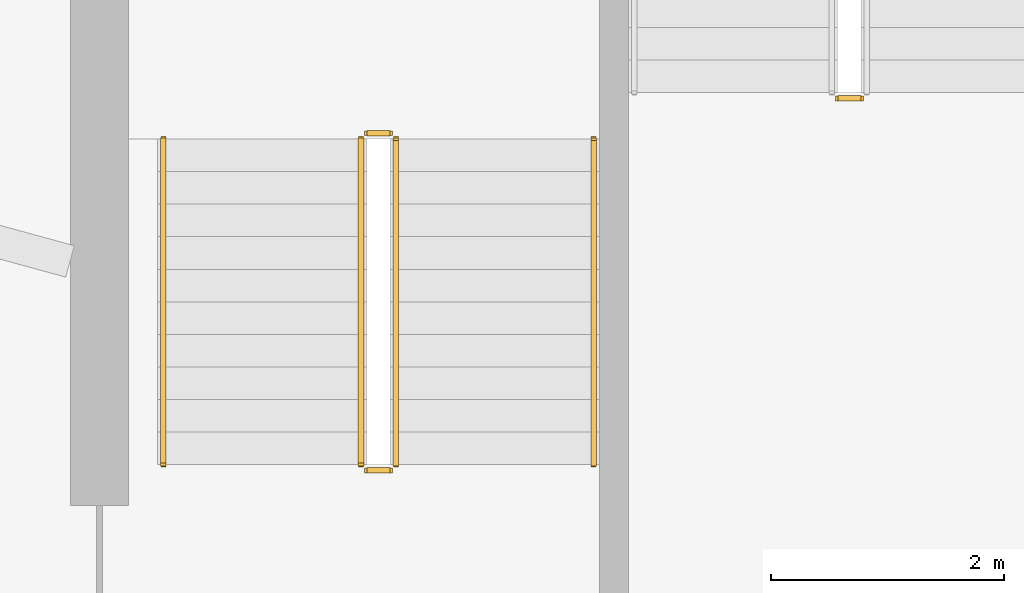
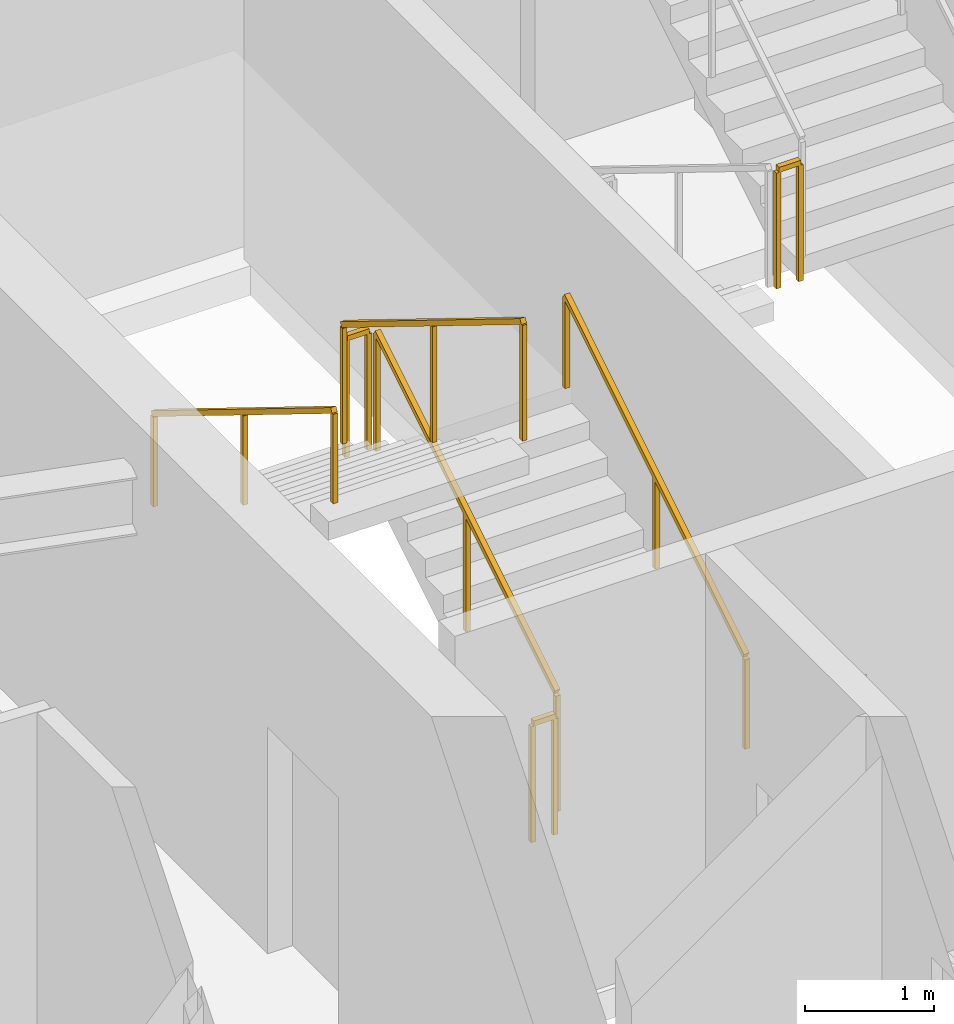
# One storey, part 21 of 23: 7 railings.
"""IFC4 building model written with IfcOpenShell, lengths in metres."""

import ifcopenshell
import ifcopenshell.guid

model = None  # the IFC model being written
_history = None  # IfcOwnerHistory: only IFC2X3 demands one
_inside = {}  # id of a spatial element -> (the spatial element, [elements in it])
_under = {}  # id of a project, library or spatial element -> (it, [spatial elements below it])
_declared = {}  # id of a project -> (the project, [libraries it declares])
_typed = {}  # id of a type object -> (the type object, [elements of that type])
_made_of = {}  # id of a material, layer set ... -> (it, [elements and type objects made of it])


def new_model(schema):
    """Start an empty IFC model of exactly this schema.

    Asked for "IFC4X3", IfcOpenShell would pick the latest addendum, in which some entities
    have other attributes; the version numbers below select the first issue.
    IFC2X3 requires an IfcOwnerHistory on every rooted entity: one is made here for all.
    """
    global model, _history
    if schema == "IFC4X3":
        model = ifcopenshell.file(schema_version=(4, 3, 0, 0))
    else:
        model = ifcopenshell.file(schema=schema)
    _inside.clear()
    _under.clear()
    _declared.clear()
    _typed.clear()
    _made_of.clear()
    _history = None
    if model.schema == "IFC2X3":
        org = make("IfcOrganization", Name="unknown")
        user = make(
            "IfcPersonAndOrganization",
            ThePerson=make("IfcPerson", FamilyName="unknown"),
            TheOrganization=org,
        )
        app = make(
            "IfcApplication",
            ApplicationDeveloper=org,
            Version="unknown",
            ApplicationFullName="unknown",
            ApplicationIdentifier="unknown",
        )
        _history = make(
            "IfcOwnerHistory",
            OwningUser=user,
            OwningApplication=app,
            ChangeAction="ADDED",
            CreationDate=0,
        )
    return model


def make(cls, **values):
    """One entity of the class cls with the attributes given. An attribute that is None is left unset."""
    return model.create_entity(
        cls, **{name: value for name, value in values.items() if value is not None}
    )


def rooted(cls, **values):
    """An entity with a GlobalId (a new one), such as an element, a storey or a relation."""
    return make(cls, GlobalId=ifcopenshell.guid.new(), OwnerHistory=_history, **values)


def si_unit(unit_type, name, prefix=None):
    """IfcSIUnit, for example si_unit("LENGTHUNIT", "METRE", prefix="MILLI")."""
    return make("IfcSIUnit", UnitType=unit_type, Prefix=prefix, Name=name)


def assignment(units):
    """IfcUnitAssignment: the units of a project."""
    return None if units is None else make("IfcUnitAssignment", Units=units)


def point(xyz):
    """IfcCartesianPoint."""
    return None if xyz is None else make("IfcCartesianPoint", Coordinates=xyz)


def direction(xyz):
    """IfcDirection."""
    return None if xyz is None else make("IfcDirection", DirectionRatios=xyz)


def frame(location, z_axis=None, x_axis=None):
    """IfcAxis2Placement3D, a coordinate frame: its origin and axes. An axis left out is left unset."""
    return make(
        "IfcAxis2Placement3D",
        Location=point(location),
        Axis=direction(z_axis),
        RefDirection=direction(x_axis),
    )


def frame_2d(location, x_axis=None):
    """IfcAxis2Placement2D, a coordinate frame in the plane: its origin and x axis."""
    return make(
        "IfcAxis2Placement2D", Location=point(location), RefDirection=direction(x_axis)
    )


def origin():
    """The frame at (0, 0, 0) with its axes left unset."""
    return frame((0.0, 0.0, 0.0))


def origin_2d():
    """The frame at (0, 0) in the plane with its x axis left unset."""
    return frame_2d((0.0, 0.0))


def place(relative_to, where):
    """IfcLocalPlacement: puts the frame where relative to a parent placement (None: the world)."""
    return make(
        "IfcLocalPlacement", PlacementRelTo=relative_to, RelativePlacement=where
    )


def context(
    kind, dimensions, precision=None, world=None, true_north=None, identifier=None
):
    """IfcGeometricRepresentationContext, for example the 3D "Model" context."""
    return make(
        "IfcGeometricRepresentationContext",
        ContextIdentifier=identifier,
        ContextType=kind,
        CoordinateSpaceDimension=dimensions,
        Precision=precision,
        WorldCoordinateSystem=world,
        TrueNorth=true_north,
    )


def subcontext(parent, identifier, kind, view, scale=None):
    """IfcGeometricRepresentationSubContext, for example "Body" below "Model"."""
    return make(
        "IfcGeometricRepresentationSubContext",
        ContextIdentifier=identifier,
        ContextType=kind,
        ParentContext=parent,
        TargetScale=scale,
        TargetView=view,
    )


def project(units=None, contexts=None):
    """IfcProject with its units and contexts."""
    return rooted(
        "IfcProject",
        Name="project",
        RepresentationContexts=contexts,
        UnitsInContext=assignment(units),
    )


def spatial(cls, under=None, at=None, **own):
    """A site, building, storey or space (cls), placed at a placement, below another one or the project."""
    s = rooted(cls, ObjectPlacement=at, **own)
    if under is not None:
        _under.setdefault(under.id(), (under, []))[1].append(s)
    return s


def profile(cls, at=None, kind="AREA", **sizes):
    """A parametric profile (cls). Its sizes go by their IFC names, for example OverallWidth=200.0."""
    return make(cls, ProfileType=kind, Position=at, **sizes)


def rectangle(**sizes):
    """IfcRectangleProfileDef."""
    return profile("IfcRectangleProfileDef", **sizes)


def extrude(swept, where, along, depth):
    """IfcExtrudedAreaSolid: the profile swept, set in the frame where, extruded along a direction by depth."""
    return make(
        "IfcExtrudedAreaSolid",
        SweptArea=swept,
        Position=where,
        ExtrudedDirection=direction(along),
        Depth=depth,
    )


def shape(context_of_items, identifier, shape_type, items):
    """IfcShapeRepresentation: the items that make up one representation, for example the "Body"."""
    return make(
        "IfcShapeRepresentation",
        ContextOfItems=context_of_items,
        RepresentationIdentifier=identifier,
        RepresentationType=shape_type,
        Items=items,
    )


def material(Name=None, Category=None):
    """IfcMaterial."""
    return make("IfcMaterial", Name=Name, Category=Category)


def made_of(thing, what):
    """Note that an element or type object is made of a material, layer set ...; save() writes the relation."""
    if what is not None:
        _made_of.setdefault(what.id(), (what, []))[1].append(thing)
    return thing


def type_object(cls, material=None, **own):
    """A type object (cls), such as IfcWallType, which elements share."""
    return made_of(rooted(cls, **own), material)


def element(
    cls,
    number,
    at=None,
    inside=None,
    cuts=None,
    type_object=None,
    material=None,
    context=None,
    identifier="Body",
    shape_type=None,
    held_by="IfcProductDefinitionShape",
    body=None,
    shapes=None,
    **own,
):
    """One element of the class cls, such as IfcWall. Its Tag is "e" and its number.

    at: its placement. inside: the storey or other place that contains it. cuts: it is an
    opening in that element (IfcRelVoidsElement). A single representation is given by context,
    identifier, shape_type and body (its items); several are given by shapes. held_by: the class
    of the entity that holds the representations. save() writes the other relations.
    """
    e = rooted(cls, Tag="e%d" % number, ObjectPlacement=at, **own)
    if body is not None:
        shapes = [shape(context, identifier, shape_type, body)]
    if shapes is not None:
        e.Representation = make(held_by, Representations=shapes)
    if inside is not None:
        _inside.setdefault(inside.id(), (inside, []))[1].append(e)
    if cuts is not None:
        rooted(
            "IfcRelVoidsElement", RelatingBuildingElement=cuts, RelatedOpeningElement=e
        )
    if type_object is not None:
        _typed.setdefault(type_object.id(), (type_object, []))[1].append(e)
    return made_of(e, material)


def aggregate(whole, parts):
    """IfcRelAggregates: a whole, such as a stair, and the parts it consists of."""
    return rooted("IfcRelAggregates", RelatingObject=whole, RelatedObjects=parts)


def save(model, path):
    """Write the relations noted so far, then the file.

    IfcRelAggregates (storeys below a building ...), IfcRelContainedInSpatialStructure (elements
    in a storey), IfcRelDefinesByType, IfcRelAssociatesMaterial and IfcRelDeclares: one each for
    every whole, place, type object, material and project.
    """
    for whole, parts in _under.values():
        aggregate(whole, parts)
    for where, things in _inside.values():
        rooted(
            "IfcRelContainedInSpatialStructure",
            RelatedElements=things,
            RelatingStructure=where,
        )
    for kind, things in _typed.values():
        rooted("IfcRelDefinesByType", RelatedObjects=things, RelatingType=kind)
    for what, things in _made_of.values():
        rooted("IfcRelAssociatesMaterial", RelatedObjects=things, RelatingMaterial=what)
    for by, libraries in _declared.values():
        rooted("IfcRelDeclares", RelatingContext=by, RelatedDefinitions=libraries)
    model.write(path)


model = new_model("IFC4")

# Units and contexts
model_context = context("Model", 3, precision=1e-05, world=origin(), true_north=direction((0.0, 1.0)))
body_context = subcontext(model_context, "Body", "Model", "MODEL_VIEW")
ifc_project = project(units=[si_unit("LENGTHUNIT", "METRE"), si_unit("AREAUNIT", "SQUARE_METRE"), si_unit("VOLUMEUNIT", "CUBIC_METRE"), si_unit("PLANEANGLEUNIT", "RADIAN"), si_unit("MASSUNIT", "GRAM", prefix="KILO")], contexts=[model_context])

# Site, building, storey
site_placement = place(None, origin())
site = spatial("IfcSite", under=ifc_project, at=site_placement, CompositionType="ELEMENT")
building_placement = place(site_placement, origin())
building = spatial("IfcBuilding", under=site, at=building_placement, Name="Zuhravey Tower", CompositionType="ELEMENT")
storey_placement = place(building_placement, frame((0.0, 0.0, 353.800048828125)))
storey = spatial("IfcBuildingStorey", under=building, at=storey_placement, Name="L90", CompositionType="ELEMENT", Elevation=353.800048828125)

# Railings
ifc_material_1 = material(Name="Brushed stainless steel", Category="steel")
railing_type_1 = type_object("IfcRailingType", Name="Stair Wall Handrail 900", PredefinedType="HANDRAIL", material=ifc_material_1)
railing_1_placement = place(storey_placement, frame((29.75, 33.199951171875, 0.172607421875)))
element("IfcRailing", 1, at=railing_1_placement, inside=storey, type_object=railing_type_1, Name="L90 ST1 stair handrail 1", PredefinedType="HANDRAIL", context=body_context, shape_type="SweptSolid", body=[
    extrude(rectangle(XDim=0.048095703125, YDim=0.048095703125, at=origin_2d()), frame((0.0, 0.001708984375, 0.876953125), z_axis=(0.0, 0.851089632645, 0.525020415988), x_axis=(-1.0, 0.0, 0.0)), (0.0, 0.0, 1.0), 3.285888671875),
    extrude(rectangle(XDim=0.0419921875, YDim=0.0419921875, at=origin_2d()), origin(), (0.0, 0.0, 1.0), 0.849853515625),
    extrude(rectangle(XDim=0.0419921875, YDim=0.0419921875, at=origin_2d()), frame((0.0, 1.39990234375, 0.86376953125)), (0.0, 0.0, 1.0), 0.849853515625),
    extrude(rectangle(XDim=0.0419921875, YDim=0.0419921875, at=origin_2d()), frame((0.0, 2.800048828125, 1.727294921875)), (0.0, 0.0, 1.0), 0.849853515625),
])
railing_2_placement = place(storey_placement, frame((26.050048828125, 36.0, 2.07275390625)))
element("IfcRailing", 2, at=railing_2_placement, inside=storey, type_object=railing_type_1, Name="L90 ST1 stair handrail 2", PredefinedType="HANDRAIL", context=body_context, shape_type="SweptSolid", body=[
    extrude(rectangle(XDim=0.048095703125, YDim=0.048095703125, at=origin_2d()), frame((0.0, -0.001708984375, 0.876953125), z_axis=(0.0, -0.851089632645, 0.525020415988), x_axis=(1.0, 0.0, 0.0)), (0.0, 0.0, 1.0), 3.285888671875),
    extrude(rectangle(XDim=0.0419921875, YDim=0.0419921875, at=origin_2d()), origin(), (0.0, 0.0, 1.0), 0.849853515625),
    extrude(rectangle(XDim=0.0419921875, YDim=0.0419921875, at=origin_2d()), frame((0.0, -1.39990234375, 0.86376953125)), (0.0, 0.0, 1.0), 0.849853515625),
    extrude(rectangle(XDim=0.0419921875, YDim=0.0419921875, at=origin_2d()), frame((0.0, -2.800048828125, 1.727294921875)), (0.0, 0.0, 1.0), 0.849853515625),
])
ifc_material_2 = material(Name="Painted tubular steel", Category="steel")
railing_type_2 = type_object("IfcRailingType", Name="Stair Well Guardrail 1150", PredefinedType="GUARDRAIL", material=ifc_material_2)
railing_3_placement = place(storey_placement, frame((28.050048828125, 33.199951171875, 0.172607421875)))
element("IfcRailing", 3, at=railing_3_placement, inside=storey, type_object=railing_type_2, Name="L90 ST1 stair guard 1", PredefinedType="GUARDRAIL", context=body_context, shape_type="SweptSolid", body=[
    extrude(rectangle(XDim=0.048095703125, YDim=0.048095703125, at=origin_2d()), frame((0.0, 0.001708984375, 1.126953125), z_axis=(0.0, 0.851089632645, 0.525020415988), x_axis=(-1.0, 0.0, 0.0)), (0.0, 0.0, 1.0), 3.285888671875),
    extrude(rectangle(XDim=0.0419921875, YDim=0.0419921875, at=origin_2d()), origin(), (0.0, 0.0, 1.0), 1.099853515625),
    extrude(rectangle(XDim=0.0419921875, YDim=0.0419921875, at=origin_2d()), frame((0.0, 1.39990234375, 0.86376953125)), (0.0, 0.0, 1.0), 1.099853515625),
    extrude(rectangle(XDim=0.0419921875, YDim=0.0419921875, at=origin_2d()), frame((0.0, 2.800048828125, 1.727294921875)), (0.0, 0.0, 1.0), 1.099853515625),
])
railing_4_placement = place(storey_placement, frame((28.0, 36.050048828125, 1.89990234375)))
element("IfcRailing", 4, at=railing_4_placement, inside=storey, type_object=railing_type_2, Name="L90 ST1 stair guard 2", PredefinedType="GUARDRAIL", context=body_context, shape_type="SweptSolid", body=[
    extrude(rectangle(XDim=0.048095703125, YDim=0.048095703125, at=origin_2d()), frame((-0.001953125, 0.0, 1.1259765625), z_axis=(-1.0, 0.0, 0.0), x_axis=(0.0, -1.0, 0.0)), (0.0, 0.0, 1.0), 0.196044921875),
    extrude(rectangle(XDim=0.0419921875, YDim=0.0419921875, at=origin_2d()), origin(), (0.0, 0.0, 1.0), 1.099853515625),
    extrude(rectangle(XDim=0.0419921875, YDim=0.0419921875, at=origin_2d()), frame((-0.199951171875, 0.0, 0.0)), (0.0, 0.0, 1.0), 1.099853515625),
])
railing_5_placement = place(storey_placement, frame((27.75, 36.0, 2.07275390625)))
element("IfcRailing", 5, at=railing_5_placement, inside=storey, type_object=railing_type_2, Name="L90 ST1 stair guard 3", PredefinedType="GUARDRAIL", context=body_context, shape_type="SweptSolid", body=[
    extrude(rectangle(XDim=0.048095703125, YDim=0.048095703125, at=origin_2d()), frame((0.0, -0.001708984375, 1.126953125), z_axis=(0.0, -0.851089632645, 0.525020415988), x_axis=(1.0, 0.0, 0.0)), (0.0, 0.0, 1.0), 3.285888671875),
    extrude(rectangle(XDim=0.0419921875, YDim=0.0419921875, at=origin_2d()), origin(), (0.0, 0.0, 1.0), 1.099853515625),
    extrude(rectangle(XDim=0.0419921875, YDim=0.0419921875, at=origin_2d()), frame((0.0, -1.39990234375, 0.86376953125)), (0.0, 0.0, 1.0), 1.099853515625),
    extrude(rectangle(XDim=0.0419921875, YDim=0.0419921875, at=origin_2d()), frame((0.0, -2.800048828125, 1.727294921875)), (0.0, 0.0, 1.0), 1.099853515625),
])
railing_6_placement = place(storey_placement, frame((28.0, 33.14990234375, 0.0)))
element("IfcRailing", 6, at=railing_6_placement, inside=storey, type_object=railing_type_2, Name="L90 ST1 stair guard 4", PredefinedType="GUARDRAIL", context=body_context, shape_type="SweptSolid", body=[
    extrude(rectangle(XDim=0.048095703125, YDim=0.048095703125, at=origin_2d()), frame((-0.001953125, 0.0, 1.1259765625), z_axis=(-1.0, 0.0, 0.0), x_axis=(0.0, -1.0, 0.0)), (0.0, 0.0, 1.0), 0.196044921875),
    extrude(rectangle(XDim=0.0419921875, YDim=0.0419921875, at=origin_2d()), origin(), (0.0, 0.0, 1.0), 1.099853515625),
    extrude(rectangle(XDim=0.0419921875, YDim=0.0419921875, at=origin_2d()), frame((-0.199951171875, 0.0, 0.0)), (0.0, 0.0, 1.0), 1.099853515625),
])
railing_7_placement = place(storey_placement, frame((31.85009765625, 36.35009765625, 1.89990234375)))
element("IfcRailing", 7, at=railing_7_placement, inside=storey, type_object=railing_type_2, Name="L90 ST3 stair guard 2", PredefinedType="GUARDRAIL", context=body_context, shape_type="SweptSolid", body=[
    extrude(rectangle(XDim=0.048095703125, YDim=0.048095703125, at=origin_2d()), frame((0.001953125, 0.0, 1.1259765625), z_axis=(1.0, 0.0, 0.0), x_axis=(0.0, 1.0, 0.0)), (0.0, 0.0, 1.0), 0.196044921875),
    extrude(rectangle(XDim=0.0419921875, YDim=0.0419921875, at=origin_2d()), origin(), (0.0, 0.0, 1.0), 1.099853515625),
    extrude(rectangle(XDim=0.0419921875, YDim=0.0419921875, at=origin_2d()), frame((0.199951171875, 0.0, 0.0)), (0.0, 0.0, 1.0), 1.099853515625),
])

save(model, "model.ifc")
